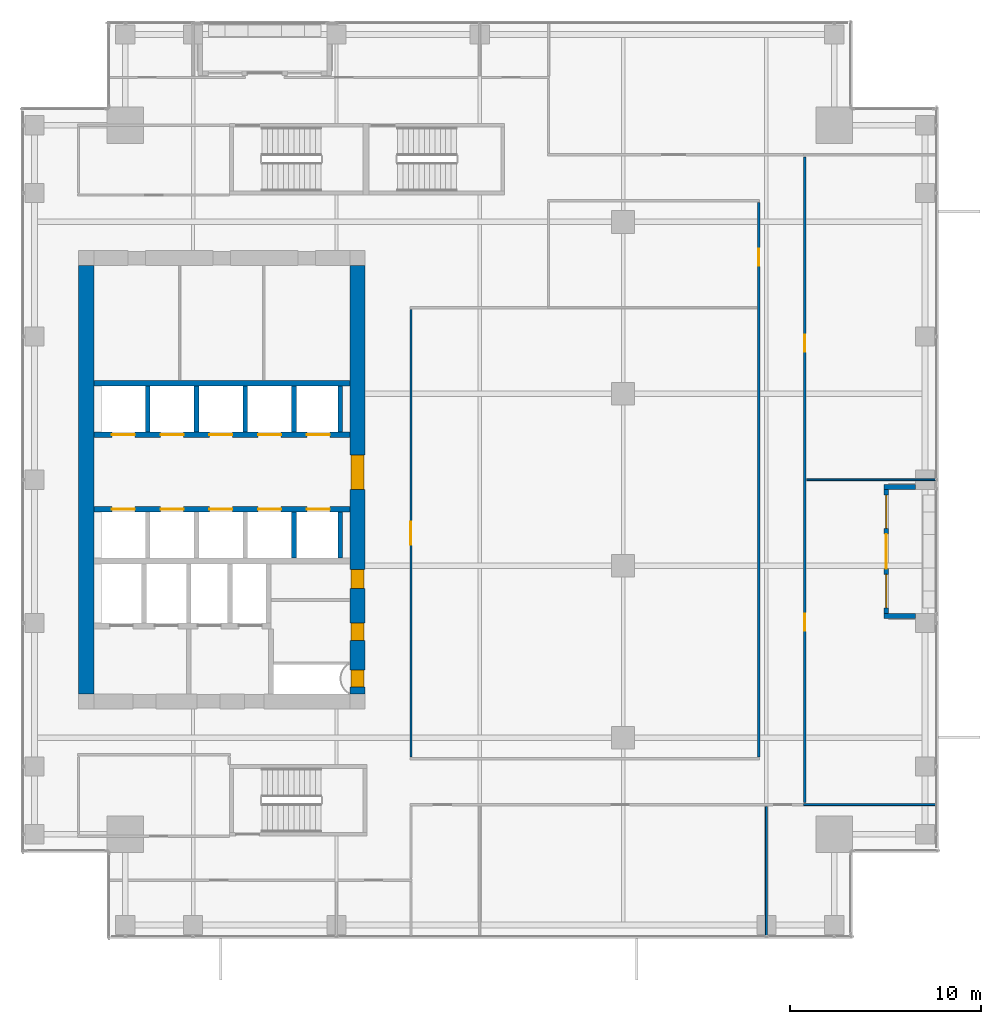
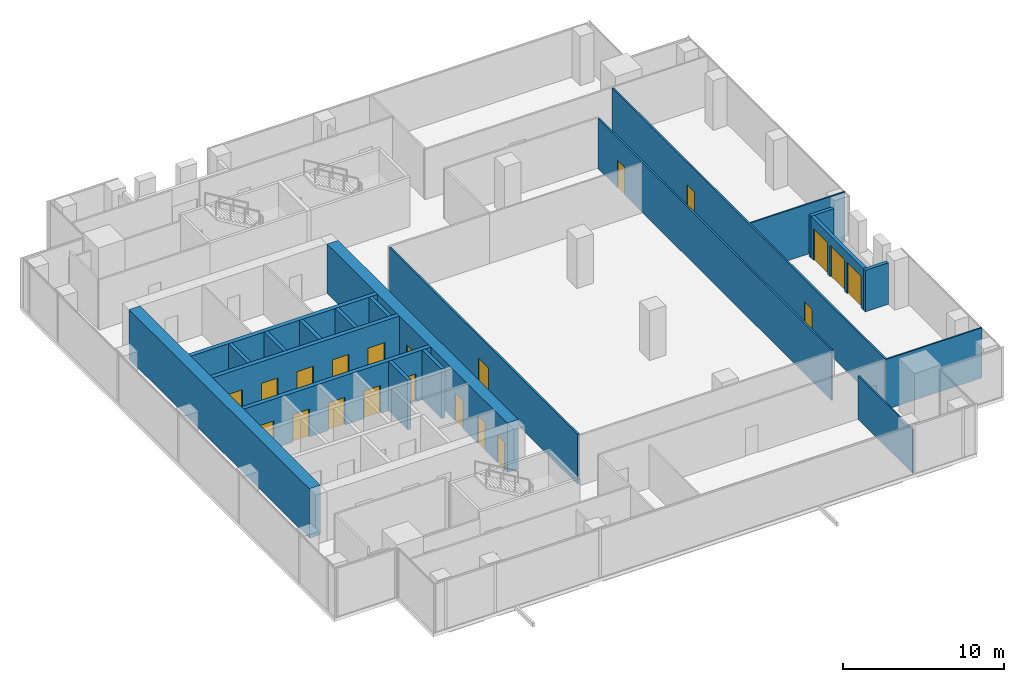
# One storey, part 35 of 40: 21 walls, 19 doors, 2 windows, 21 openings.
"""IFC4 building model written with IfcOpenShell, lengths in metres."""

from ifc_helpers import new_model, si_unit, direction, frame, frame_2d, origin, place, context, subcontext, project, spatial, rectangle, extrude, source, transform, mapped, material, layer, layer_set, type_object, element, fill, save


model = new_model("IFC4")

# Units and contexts
model_context = context("Model", 3, precision=1e-05, world=origin(), true_north=direction((0.0, 1.0)))
body_context = subcontext(model_context, "Body", "Model", "MODEL_VIEW")
ifc_project = project(units=[si_unit("LENGTHUNIT", "METRE"), si_unit("AREAUNIT", "SQUARE_METRE"), si_unit("VOLUMEUNIT", "CUBIC_METRE"), si_unit("PLANEANGLEUNIT", "RADIAN"), si_unit("MASSUNIT", "GRAM", prefix="KILO")], contexts=[model_context])

# Site, building, storey
site_placement = place(None, origin())
site = spatial("IfcSite", under=ifc_project, at=site_placement, CompositionType="ELEMENT")
building_placement = place(site_placement, origin())
building = spatial("IfcBuilding", under=site, at=building_placement, Name="Khomas Fold Tower", CompositionType="ELEMENT")
storey_placement = place(building_placement, frame((0.0, 0.0, 204.699951171875)))
storey = spatial("IfcBuildingStorey", under=building, at=storey_placement, Name="L45", CompositionType="ELEMENT", Elevation=204.699951171875)

# Wall, openings, doors
ifc_material_1 = material(Name="Concrete C60/75", Category="concrete")
ifc_layer_1 = layer(ifc_material_1, 0.800048828125)
ifc_layer_set_1 = layer_set([ifc_layer_1], Name="Concrete C60/75")
wall_type_1 = type_object("IfcWallType", Name="Core wall 800", PredefinedType="SHEAR", material=ifc_layer_set_1)
shared_shape_1 = source(origin(), body_context, "Body", "SweptSolid", [
    extrude(rectangle(XDim=22.39990234375, YDim=0.800048828125, at=frame_2d((11.199951171875, 0.0))), origin(), (0.0, 0.0, 1.0), 3.75),
])
wall_1_placement = place(storey_placement, frame((20.60009765625, 15.800048828125, 0.0), z_axis=(0.0, 0.0, 1.0), x_axis=(0.0, 1.0, 0.0)))
wall_1 = element("IfcWall", 1, at=wall_1_placement, inside=storey, type_object=wall_type_1, Name="Core wall CW-U-E-L35", PredefinedType="SHEAR", context=body_context, shape_type="MappedRepresentation", body=[
    mapped(shared_shape_1, transform((0.0, 0.0, 0.0))),
])
shared_shape_2 = source(origin(), body_context, "Body", "SweptSolid", [
    extrude(rectangle(XDim=1.800048828125, YDim=2.10009765625, at=frame_2d((0.89990234375, 1.050048828125))), frame((0.0, 0.409912109375, 0.0), z_axis=(0.0, -1.0, 0.0), x_axis=(1.0, 0.0, 0.0)), (0.0, 0.0, 1.0), 0.820068359375),
])
opening_1_placement = place(wall_1_placement, frame((10.699951171875, 0.0, 0.0)))
opening_1 = element("IfcOpeningElement", 2, at=opening_1_placement, cuts=wall_1, Name="Opening 0015", PredefinedType="OPENING", context=body_context, shape_type="MappedRepresentation", body=[
    mapped(shared_shape_2, transform((0.0, 0.0, 0.0))),
])
shared_shape_3 = source(origin(), body_context, "Body", "SweptSolid", [
    extrude(rectangle(XDim=0.89990234375, YDim=2.10009765625, at=frame_2d((0.449951171875, 1.050048828125))), frame((0.0, 0.409912109375, 0.0), z_axis=(0.0, -1.0, 0.0), x_axis=(1.0, 0.0, 0.0)), (0.0, 0.0, 1.0), 0.820068359375),
])
opening_2_placement = place(wall_1_placement, frame((0.35009765625, 0.0, 0.0)))
opening_2 = element("IfcOpeningElement", 3, at=opening_2_placement, cuts=wall_1, Name="Opening 0003", PredefinedType="OPENING", context=body_context, shape_type="MappedRepresentation", body=[
    mapped(shared_shape_3, transform((0.0, 0.0, 0.0))),
])
opening_3_placement = place(wall_1_placement, frame((2.800048828125, 0.0, 0.0)))
opening_3 = element("IfcOpeningElement", 4, at=opening_3_placement, cuts=wall_1, Name="Opening 0003", PredefinedType="OPENING", context=body_context, shape_type="MappedRepresentation", body=[
    mapped(shared_shape_3, transform((0.0, 0.0, 0.0))),
])
shared_shape_4 = source(origin(), body_context, "Body", "SweptSolid", [
    extrude(rectangle(XDim=1.0, YDim=2.10009765625, at=frame_2d((0.5, 1.050048828125))), frame((0.0, 0.409912109375, 0.0), z_axis=(0.0, -1.0, 0.0), x_axis=(1.0, 0.0, 0.0)), (0.0, 0.0, 1.0), 0.820068359375),
])
opening_4_placement = place(wall_1_placement, frame((5.5, 0.0, 0.0)))
opening_4 = element("IfcOpeningElement", 5, at=opening_4_placement, cuts=wall_1, Name="Opening 0006", PredefinedType="OPENING", context=body_context, shape_type="MappedRepresentation", body=[
    mapped(shared_shape_4, transform((0.0, 0.0, 0.0))),
])
ifc_material_2 = material(Name="Steel door leaf", Category="steel")
door_type_1 = type_object("IfcDoorType", Name="Lobby door 1800x2100", OperationType="DOUBLE_DOOR_SINGLE_SWING", PredefinedType="DOOR", material=ifc_material_2)
shared_shape_5 = source(origin(), body_context, "Body", "SweptSolid", [
    extrude(rectangle(XDim=1.800048828125, YDim=2.10009765625, at=frame_2d((0.89990234375, 1.050048828125))), frame((0.0, 0.35009765625, 0.0), z_axis=(0.0, -1.0, 0.0), x_axis=(1.0, 0.0, 0.0)), (0.0, 0.0, 1.0), 0.699951171875),
])
door_1_placement = place(opening_1_placement, origin())
door_1 = element("IfcDoor", 6, at=door_1_placement, inside=storey, type_object=door_type_1, Name="Lobby door", OperationType="DOUBLE_DOOR_SINGLE_SWING", OverallHeight=2.10009765625, OverallWidth=1.800048828125, PredefinedType="DOOR", context=body_context, shape_type="MappedRepresentation", body=[
    mapped(shared_shape_5, transform((0.0, 0.0, 0.0))),
])
fill(opening_1, door_1)
ifc_material_3 = material(Name="Steel door leaf", Category="steel")
door_type_2 = type_object("IfcDoorType", Name="Plant room door 900x2100 right-hand", OperationType="SINGLE_SWING_RIGHT", PredefinedType="DOOR", material=ifc_material_3)
shared_shape_6 = source(origin(), body_context, "Body", "SweptSolid", [
    extrude(rectangle(XDim=0.89990234375, YDim=2.10009765625, at=frame_2d((0.449951171875, 1.050048828125))), frame((0.0, 0.35009765625, 0.0), z_axis=(0.0, -1.0, 0.0), x_axis=(1.0, 0.0, 0.0)), (0.0, 0.0, 1.0), 0.699951171875),
])
door_2_placement = place(opening_2_placement, origin())
door_2 = element("IfcDoor", 7, at=door_2_placement, inside=storey, type_object=door_type_2, Name="Plant room door", OperationType="SINGLE_SWING_RIGHT", OverallHeight=2.10009765625, OverallWidth=0.89990234375, PredefinedType="DOOR", context=body_context, shape_type="MappedRepresentation", body=[
    mapped(shared_shape_6, transform((0.0, 0.0, 0.0))),
])
fill(opening_2, door_2)
door_3_placement = place(opening_3_placement, origin())
door_3 = element("IfcDoor", 8, at=door_3_placement, inside=storey, type_object=door_type_2, Name="Plant room door", OperationType="SINGLE_SWING_RIGHT", OverallHeight=2.10009765625, OverallWidth=0.89990234375, PredefinedType="DOOR", context=body_context, shape_type="MappedRepresentation", body=[
    mapped(shared_shape_6, transform((0.0, 0.0, 0.0))),
])
fill(opening_3, door_3)
ifc_material_4 = material(Name="Timber door leaf", Category="wood")
door_type_3 = type_object("IfcDoorType", Name="WC door 1000x2100 right-hand", OperationType="SINGLE_SWING_RIGHT", PredefinedType="DOOR", material=ifc_material_4)
shared_shape_7 = source(origin(), body_context, "Body", "SweptSolid", [
    extrude(rectangle(XDim=1.0, YDim=2.10009765625, at=frame_2d((0.5, 1.050048828125))), frame((0.0, 0.35009765625, 0.0), z_axis=(0.0, -1.0, 0.0), x_axis=(1.0, 0.0, 0.0)), (0.0, 0.0, 1.0), 0.699951171875),
])
door_4_placement = place(opening_4_placement, origin())
door_4 = element("IfcDoor", 9, at=door_4_placement, inside=storey, type_object=door_type_3, Name="WC door", OperationType="SINGLE_SWING_RIGHT", OverallHeight=2.10009765625, OverallWidth=1.0, PredefinedType="DOOR", context=body_context, shape_type="MappedRepresentation", body=[
    mapped(shared_shape_7, transform((0.0, 0.0, 0.0))),
])
fill(opening_4, door_4)

# Walls
wall_2_placement = place(storey_placement, frame((6.39990234375, 15.800048828125, 0.0), z_axis=(0.0, 0.0, 1.0), x_axis=(0.0, 1.0, 0.0)))
element("IfcWall", 10, at=wall_2_placement, inside=storey, type_object=wall_type_1, Name="Core wall CW-U-W-L35", PredefinedType="SHEAR", context=body_context, shape_type="MappedRepresentation", body=[
    mapped(shared_shape_1, transform((0.0, 0.0, 0.0))),
])
ifc_material_5 = material(Name="Concrete C50/60", Category="concrete")
ifc_layer_2 = layer(ifc_material_5, 0.300048828125)
ifc_layer_set_2 = layer_set([ifc_layer_2], Name="Concrete C50/60")
wall_type_2 = type_object("IfcWallType", Name="Shaft wall 300", PredefinedType="STANDARD", material=ifc_layer_set_2)
shared_shape_8 = source(origin(), body_context, "Body", "SweptSolid", [
    extrude(rectangle(XDim=13.39990234375, YDim=0.300048828125, at=frame_2d((6.699951171875, 0.0))), origin(), (0.0, 0.0, 1.0), 3.75),
])
wall_3_placement = place(storey_placement, frame((6.800048828125, 32.050048828125, 0.0), z_axis=(0.0, 0.0, 1.0), x_axis=(1.0, 0.0, 0.0)))
element("IfcWall", 11, at=wall_3_placement, inside=storey, type_object=wall_type_2, Name="Core wall SW-HRN-B", PredefinedType="STANDARD", context=body_context, shape_type="MappedRepresentation", body=[
    mapped(shared_shape_8, transform((0.0, 0.0, 0.0))),
])

# Wall, openings, doors
wall_4_placement = place(storey_placement, frame((6.800048828125, 29.35009765625, 0.0), z_axis=(0.0, 0.0, 1.0), x_axis=(1.0, 0.0, 0.0)))
wall_4 = element("IfcWall", 12, at=wall_4_placement, inside=storey, type_object=wall_type_2, Name="Core wall SW-HRN-F", PredefinedType="STANDARD", context=body_context, shape_type="MappedRepresentation", body=[
    mapped(shared_shape_8, transform((0.0, 0.0, 0.0))),
])
shared_shape_9 = source(origin(), body_context, "Body", "SweptSolid", [
    extrude(rectangle(XDim=1.199951171875, YDim=2.10009765625, at=frame_2d((0.60009765625, 1.050048828125))), frame((0.0, 0.159912109375, 0.0), z_axis=(0.0, -1.0, 0.0), x_axis=(1.0, 0.0, 0.0)), (0.0, 0.0, 1.0), 0.320068359375),
])
opening_5_placement = place(wall_4_placement, frame((0.949951171875, 0.0, 0.0)))
opening_5 = element("IfcOpeningElement", 13, at=opening_5_placement, cuts=wall_4, Name="Opening LD-HR4", PredefinedType="OPENING", context=body_context, shape_type="MappedRepresentation", body=[
    mapped(shared_shape_9, transform((0.0, 0.0, 0.0))),
])
opening_6_placement = place(wall_4_placement, frame((3.5, 0.0, 0.0)))
opening_6 = element("IfcOpeningElement", 14, at=opening_6_placement, cuts=wall_4, Name="Opening LD-HR5", PredefinedType="OPENING", context=body_context, shape_type="MappedRepresentation", body=[
    mapped(shared_shape_9, transform((0.0, 0.0, 0.0))),
])
opening_7_placement = place(wall_4_placement, frame((6.050048828125, 0.0, 0.0)))
opening_7 = element("IfcOpeningElement", 15, at=opening_7_placement, cuts=wall_4, Name="Opening LD-HR6", PredefinedType="OPENING", context=body_context, shape_type="MappedRepresentation", body=[
    mapped(shared_shape_9, transform((0.0, 0.0, 0.0))),
])
opening_8_placement = place(wall_4_placement, frame((8.60009765625, 0.0, 0.0)))
opening_8 = element("IfcOpeningElement", 16, at=opening_8_placement, cuts=wall_4, Name="Opening LD-MR3", PredefinedType="OPENING", context=body_context, shape_type="MappedRepresentation", body=[
    mapped(shared_shape_9, transform((0.0, 0.0, 0.0))),
])
opening_9_placement = place(wall_4_placement, frame((11.14990234375, 0.0, 0.0)))
opening_9 = element("IfcOpeningElement", 17, at=opening_9_placement, cuts=wall_4, Name="Opening LD-MR4", PredefinedType="OPENING", context=body_context, shape_type="MappedRepresentation", body=[
    mapped(shared_shape_9, transform((0.0, 0.0, 0.0))),
])
ifc_material_6 = material(Name="Steel door leaf", Category="steel")
door_type_4 = type_object("IfcDoorType", Name="Landing door 1200x2100", OperationType="DOUBLE_DOOR_SLIDING", PredefinedType="DOOR", material=ifc_material_6)
shared_shape_10 = source(origin(), body_context, "Body", "SweptSolid", [
    extrude(rectangle(XDim=1.199951171875, YDim=2.10009765625, at=frame_2d((0.60009765625, 1.050048828125))), frame((0.0, 0.02490234375, 0.0), z_axis=(0.0, -1.0, 0.0), x_axis=(1.0, 0.0, 0.0)), (0.0, 0.0, 1.0), 0.050048828125),
])
door_5_placement = place(opening_5_placement, origin())
door_5 = element("IfcDoor", 18, at=door_5_placement, inside=storey, type_object=door_type_4, Name="Lift landing door", OperationType="DOUBLE_DOOR_SLIDING", OverallHeight=2.10009765625, OverallWidth=1.199951171875, PredefinedType="DOOR", context=body_context, shape_type="MappedRepresentation", body=[
    mapped(shared_shape_10, transform((0.0, 0.0, 0.0))),
])
fill(opening_5, door_5)
door_6_placement = place(opening_6_placement, origin())
door_6 = element("IfcDoor", 19, at=door_6_placement, inside=storey, type_object=door_type_4, Name="Lift landing door", OperationType="DOUBLE_DOOR_SLIDING", OverallHeight=2.10009765625, OverallWidth=1.199951171875, PredefinedType="DOOR", context=body_context, shape_type="MappedRepresentation", body=[
    mapped(shared_shape_10, transform((0.0, 0.0, 0.0))),
])
fill(opening_6, door_6)
door_7_placement = place(opening_7_placement, origin())
door_7 = element("IfcDoor", 20, at=door_7_placement, inside=storey, type_object=door_type_4, Name="Lift landing door", OperationType="DOUBLE_DOOR_SLIDING", OverallHeight=2.10009765625, OverallWidth=1.199951171875, PredefinedType="DOOR", context=body_context, shape_type="MappedRepresentation", body=[
    mapped(shared_shape_10, transform((0.0, 0.0, 0.0))),
])
fill(opening_7, door_7)
door_8_placement = place(opening_8_placement, origin())
door_8 = element("IfcDoor", 21, at=door_8_placement, inside=storey, type_object=door_type_4, Name="Lift landing door", OperationType="DOUBLE_DOOR_SLIDING", OverallHeight=2.10009765625, OverallWidth=1.199951171875, PredefinedType="DOOR", context=body_context, shape_type="MappedRepresentation", body=[
    mapped(shared_shape_10, transform((0.0, 0.0, 0.0))),
])
fill(opening_8, door_8)
door_9_placement = place(opening_9_placement, origin())
door_9 = element("IfcDoor", 22, at=door_9_placement, inside=storey, type_object=door_type_4, Name="Lift landing door", OperationType="DOUBLE_DOOR_SLIDING", OverallHeight=2.10009765625, OverallWidth=1.199951171875, PredefinedType="DOOR", context=body_context, shape_type="MappedRepresentation", body=[
    mapped(shared_shape_10, transform((0.0, 0.0, 0.0))),
])
fill(opening_9, door_9)

wall_5_placement = place(storey_placement, frame((6.800048828125, 25.449951171875, 0.0), z_axis=(0.0, 0.0, 1.0), x_axis=(1.0, 0.0, 0.0)))
wall_5 = element("IfcWall", 23, at=wall_5_placement, inside=storey, type_object=wall_type_2, Name="Core wall SW-HRS-F", PredefinedType="STANDARD", context=body_context, shape_type="MappedRepresentation", body=[
    mapped(shared_shape_8, transform((0.0, 0.0, 0.0))),
])
opening_10_placement = place(wall_5_placement, frame((0.949951171875, 0.0, 0.0)))
opening_10 = element("IfcOpeningElement", 24, at=opening_10_placement, cuts=wall_5, Name="Opening LD-HR1", PredefinedType="OPENING", context=body_context, shape_type="MappedRepresentation", body=[
    mapped(shared_shape_9, transform((0.0, 0.0, 0.0))),
])
opening_11_placement = place(wall_5_placement, frame((3.5, 0.0, 0.0)))
opening_11 = element("IfcOpeningElement", 25, at=opening_11_placement, cuts=wall_5, Name="Opening LD-HR2", PredefinedType="OPENING", context=body_context, shape_type="MappedRepresentation", body=[
    mapped(shared_shape_9, transform((0.0, 0.0, 0.0))),
])
opening_12_placement = place(wall_5_placement, frame((6.050048828125, 0.0, 0.0)))
opening_12 = element("IfcOpeningElement", 26, at=opening_12_placement, cuts=wall_5, Name="Opening LD-HR3", PredefinedType="OPENING", context=body_context, shape_type="MappedRepresentation", body=[
    mapped(shared_shape_9, transform((0.0, 0.0, 0.0))),
])
opening_13_placement = place(wall_5_placement, frame((8.60009765625, 0.0, 0.0)))
opening_13 = element("IfcOpeningElement", 27, at=opening_13_placement, cuts=wall_5, Name="Opening LD-MR1", PredefinedType="OPENING", context=body_context, shape_type="MappedRepresentation", body=[
    mapped(shared_shape_9, transform((0.0, 0.0, 0.0))),
])
opening_14_placement = place(wall_5_placement, frame((11.14990234375, 0.0, 0.0)))
opening_14 = element("IfcOpeningElement", 28, at=opening_14_placement, cuts=wall_5, Name="Opening LD-MR2", PredefinedType="OPENING", context=body_context, shape_type="MappedRepresentation", body=[
    mapped(shared_shape_9, transform((0.0, 0.0, 0.0))),
])
door_10_placement = place(opening_10_placement, origin())
door_10 = element("IfcDoor", 29, at=door_10_placement, inside=storey, type_object=door_type_4, Name="Lift landing door", OperationType="DOUBLE_DOOR_SLIDING", OverallHeight=2.10009765625, OverallWidth=1.199951171875, PredefinedType="DOOR", context=body_context, shape_type="MappedRepresentation", body=[
    mapped(shared_shape_10, transform((0.0, 0.0, 0.0))),
])
fill(opening_10, door_10)
door_11_placement = place(opening_11_placement, origin())
door_11 = element("IfcDoor", 30, at=door_11_placement, inside=storey, type_object=door_type_4, Name="Lift landing door", OperationType="DOUBLE_DOOR_SLIDING", OverallHeight=2.10009765625, OverallWidth=1.199951171875, PredefinedType="DOOR", context=body_context, shape_type="MappedRepresentation", body=[
    mapped(shared_shape_10, transform((0.0, 0.0, 0.0))),
])
fill(opening_11, door_11)
door_12_placement = place(opening_12_placement, origin())
door_12 = element("IfcDoor", 31, at=door_12_placement, inside=storey, type_object=door_type_4, Name="Lift landing door", OperationType="DOUBLE_DOOR_SLIDING", OverallHeight=2.10009765625, OverallWidth=1.199951171875, PredefinedType="DOOR", context=body_context, shape_type="MappedRepresentation", body=[
    mapped(shared_shape_10, transform((0.0, 0.0, 0.0))),
])
fill(opening_12, door_12)
door_13_placement = place(opening_13_placement, origin())
door_13 = element("IfcDoor", 32, at=door_13_placement, inside=storey, type_object=door_type_4, Name="Lift landing door", OperationType="DOUBLE_DOOR_SLIDING", OverallHeight=2.10009765625, OverallWidth=1.199951171875, PredefinedType="DOOR", context=body_context, shape_type="MappedRepresentation", body=[
    mapped(shared_shape_10, transform((0.0, 0.0, 0.0))),
])
fill(opening_13, door_13)
door_14_placement = place(opening_14_placement, origin())
door_14 = element("IfcDoor", 33, at=door_14_placement, inside=storey, type_object=door_type_4, Name="Lift landing door", OperationType="DOUBLE_DOOR_SLIDING", OverallHeight=2.10009765625, OverallWidth=1.199951171875, PredefinedType="DOOR", context=body_context, shape_type="MappedRepresentation", body=[
    mapped(shared_shape_10, transform((0.0, 0.0, 0.0))),
])
fill(opening_14, door_14)

# Walls
ifc_material_7 = material(Name="Concrete C50/60", Category="concrete")
ifc_layer_3 = layer(ifc_material_7, 0.25)
ifc_layer_set_3 = layer_set([ifc_layer_3], Name="Concrete C50/60")
wall_type_3 = type_object("IfcWallType", Name="Shaft wall 250", PredefinedType="STANDARD", material=ifc_layer_set_3)
shared_shape_11 = source(origin(), body_context, "Body", "SweptSolid", [
    extrude(rectangle(XDim=2.39990234375, YDim=0.25, at=frame_2d((1.199951171875, 0.0))), origin(), (0.0, 0.0, 1.0), 3.75),
])
for number, where, z_axis, x_axis, name in (
    (34, (17.27490234375, 29.5, 0.0), (0.0, 0.0, 1.0), (0.0, 1.0, 0.0), "Core wall SW-HRN-MR-P1"),
    (35, (19.699951171875, 29.5, 0.0), (0.0, 0.0, 1.0), (0.0, 1.0, 0.0), "Core wall SW-HRN-MR-PE"),
    (36, (9.625, 29.5, 0.0), (0.0, 0.0, 1.0), (0.0, 1.0, 0.0), "Core wall SW-HRN-P1"),
    (37, (12.175048828125, 29.5, 0.0), (0.0, 0.0, 1.0), (0.0, 1.0, 0.0), "Core wall SW-HRN-P2"),
    (38, (14.72509765625, 29.5, 0.0), (0.0, 0.0, 1.0), (0.0, 1.0, 0.0), "Core wall SW-HRN-PE"),
):
    element("IfcWall", number, at=place(storey_placement, frame(where, z_axis=z_axis, x_axis=x_axis)), inside=storey, type_object=wall_type_3, Name=name, PredefinedType="STANDARD", context=body_context, shape_type="MappedRepresentation", body=[
        mapped(shared_shape_11, transform((0.0, 0.0, 0.0))),
    ])
shared_shape_12 = source(origin(), body_context, "Body", "SweptSolid", [
    extrude(rectangle(XDim=2.400146484375, YDim=0.25, at=frame_2d((1.2001953125, 0.0))), origin(), (0.0, 0.0, 1.0), 3.75),
])
for number, where, z_axis, x_axis, name in (
    (39, (17.27490234375, 22.89990234375, 0.0), (0.0, 0.0, 1.0), (0.0, 1.0, 0.0), "Core wall SW-HRS-MR-P1"),
    (40, (19.699951171875, 22.89990234375, 0.0), (0.0, 0.0, 1.0), (0.0, 1.0, 0.0), "Core wall SW-HRS-MR-PE"),
):
    element("IfcWall", number, at=place(storey_placement, frame(where, z_axis=z_axis, x_axis=x_axis)), inside=storey, type_object=wall_type_3, Name=name, PredefinedType="STANDARD", context=body_context, shape_type="MappedRepresentation", body=[
        mapped(shared_shape_12, transform((0.0, 0.0, 0.0))),
    ])

# Wall, openings, door, windows
ifc_material_8 = material(Name="Natural stone", Category="masonry")
ifc_layer_4 = layer(ifc_material_8, 0.0400390625)
ifc_material_9 = material(Name="Mineral wool insulation", Category="insulation")
ifc_layer_5 = layer(ifc_material_9, 0.10009765625)
ifc_material_10 = material(Name="Masonry", Category="masonry")
ifc_layer_6 = layer(ifc_material_10, 0.110107421875)
ifc_layer_set_4 = layer_set([ifc_layer_4, ifc_layer_5, ifc_layer_6], Name="Stone-faced insulated masonry")
wall_type_4 = type_object("IfcWallType", Name="BL-Balcony wall", PredefinedType="SOLIDWALL", material=ifc_layer_set_4)
shared_shape_13 = source(origin(), body_context, "Body", "SweptSolid", [
    extrude(rectangle(XDim=6.5, YDim=0.25, at=frame_2d((3.25, 0.0))), origin(), (0.0, 0.0, 1.0), 3.150146484375),
])
wall_6_placement = place(storey_placement, frame((48.27490234375, 20.0, 0.0), z_axis=(0.0, 0.0, 1.0), x_axis=(0.0, 1.0, 0.0)))
wall_6 = element("IfcWall", 41, at=wall_6_placement, inside=storey, type_object=wall_type_4, Name="Balcony wall BAL-L45-E2", PredefinedType="SOLIDWALL", context=body_context, shape_type="MappedRepresentation", body=[
    mapped(shared_shape_13, transform((0.0, 0.0, 0.0))),
])
shared_shape_14 = source(origin(), body_context, "Body", "SweptSolid", [
    extrude(rectangle(XDim=1.75, YDim=2.39990234375, at=frame_2d((0.875, 1.199951171875))), frame((0.0, 0.135009765625, 0.0), z_axis=(0.0, -1.0, 0.0), x_axis=(1.0, 0.0, 0.0)), (0.0, 0.0, 1.0), 0.27001953125),
])
opening_15_placement = place(wall_6_placement, frame((0.300048828125, 0.0, 0.0)))
opening_15 = element("IfcOpeningElement", 42, at=opening_15_placement, cuts=wall_6, Name="Opening BL-W3", PredefinedType="OPENING", context=body_context, shape_type="MappedRepresentation", body=[
    mapped(shared_shape_14, transform((0.0, 0.0, 0.0))),
])
opening_16_placement = place(wall_6_placement, frame((4.449951171875, 0.0, 0.0)))
opening_16 = element("IfcOpeningElement", 43, at=opening_16_placement, cuts=wall_6, Name="Opening BL-W3", PredefinedType="OPENING", context=body_context, shape_type="MappedRepresentation", body=[
    mapped(shared_shape_14, transform((0.0, 0.0, 0.0))),
])
shared_shape_15 = source(origin(), body_context, "Body", "SweptSolid", [
    extrude(rectangle(XDim=1.800048828125, YDim=2.39990234375, at=frame_2d((0.89990234375, 1.199951171875))), frame((0.0, 0.135009765625, 0.0), z_axis=(0.0, -1.0, 0.0), x_axis=(1.0, 0.0, 0.0)), (0.0, 0.0, 1.0), 0.27001953125),
])
opening_17_placement = place(wall_6_placement, frame((2.35009765625, 0.0, 0.0)))
opening_17 = element("IfcOpeningElement", 44, at=opening_17_placement, cuts=wall_6, Name="Opening BD451", PredefinedType="OPENING", context=body_context, shape_type="MappedRepresentation", body=[
    mapped(shared_shape_15, transform((0.0, 0.0, 0.0))),
])
ifc_material_11 = material(Name="Aluminium framed double glazing", Category="aluminium")
door_type_5 = type_object("IfcDoorType", Name="BL-Glazed balcony door 1800 x 2400", OperationType="DOUBLE_DOOR_DOUBLE_SWING", PredefinedType="DOOR", material=ifc_material_11)
shared_shape_16 = source(origin(), body_context, "Body", "SweptSolid", [
    extrude(rectangle(XDim=1.800048828125, YDim=2.39990234375, at=frame_2d((0.89990234375, 1.199951171875))), frame((0.0, 0.02490234375, 0.0), z_axis=(0.0, -1.0, 0.0), x_axis=(1.0, 0.0, 0.0)), (0.0, 0.0, 1.0), 0.050048828125),
])
door_15_placement = place(opening_17_placement, origin())
door_15 = element("IfcDoor", 45, at=door_15_placement, inside=storey, type_object=door_type_5, Name="Balcony door BD451", OperationType="DOUBLE_DOOR_DOUBLE_SWING", OverallHeight=2.39990234375, OverallWidth=1.800048828125, PredefinedType="DOOR", context=body_context, shape_type="MappedRepresentation", body=[
    mapped(shared_shape_16, transform((0.0, 0.0, 0.0))),
])
fill(opening_17, door_15)
ifc_material_12 = material(Name="Aluminium framed double glazing", Category="aluminium")
window_type = type_object("IfcWindowType", Name="BL-Fixed glazing 1750 x 2400", PartitioningType="SINGLE_PANEL", PredefinedType="WINDOW", material=ifc_material_12)
shared_shape_17 = source(origin(), body_context, "Body", "SweptSolid", [
    extrude(rectangle(XDim=1.75, YDim=2.39990234375, at=frame_2d((0.875, 1.199951171875))), frame((0.0, 0.030029296875, 0.0), z_axis=(0.0, -1.0, 0.0), x_axis=(1.0, 0.0, 0.0)), (0.0, 0.0, 1.0), 0.06005859375),
])
window_1_placement = place(opening_15_placement, origin())
window_1 = element("IfcWindow", 46, at=window_1_placement, inside=storey, type_object=window_type, Name="Balcony glazing BAL-L45-E2-1", OverallHeight=2.39990234375, OverallWidth=1.75, PartitioningType="SINGLE_PANEL", PredefinedType="WINDOW", context=body_context, shape_type="MappedRepresentation", body=[
    mapped(shared_shape_17, transform((0.0, 0.0, 0.0))),
])
fill(opening_15, window_1)
window_2_placement = place(opening_16_placement, origin())
window_2 = element("IfcWindow", 47, at=window_2_placement, inside=storey, type_object=window_type, Name="Balcony glazing BAL-L45-E2-2", OverallHeight=2.39990234375, OverallWidth=1.75, PartitioningType="SINGLE_PANEL", PredefinedType="WINDOW", context=body_context, shape_type="MappedRepresentation", body=[
    mapped(shared_shape_17, transform((0.0, 0.0, 0.0))),
])
fill(opening_16, window_2)

# Walls
shared_shape_18 = source(origin(), body_context, "Body", "SweptSolid", [
    extrude(rectangle(XDim=1.650146484375, YDim=0.25, at=frame_2d((0.8251953125, 0.0))), origin(), (0.0, 0.0, 1.0), 3.150146484375),
])
for number, where, z_axis, x_axis, name in (
    (48, (49.800048828125, 19.875, 0.0), (0.0, 0.0, 1.0), (-1.0, 0.0, 0.0), "Balcony return wall BAL-L45-E2-lo"),
    (49, (49.800048828125, 26.625, 0.0), (0.0, 0.0, 1.0), (-1.0, 0.0, 0.0), "Balcony return wall BAL-L45-E2-hi"),
):
    element("IfcWall", number, at=place(storey_placement, frame(where, z_axis=z_axis, x_axis=x_axis)), inside=storey, type_object=wall_type_4, Name=name, PredefinedType="SOLIDWALL", context=body_context, shape_type="MappedRepresentation", body=[
        mapped(shared_shape_18, transform((0.0, 0.0, 0.0))),
    ])
ifc_material_13 = material(Name="Plasterboard partition")
ifc_layer_7 = layer(ifc_material_13, 0.10009765625)
ifc_layer_set_5 = layer_set([ifc_layer_7], Name="Plasterboard partition")
wall_type_5 = type_object("IfcWallType", Name="Partition PW1 100", PredefinedType="PARTITIONING", material=ifc_layer_set_5)
shared_shape_19 = source(origin(), body_context, "Body", "SweptSolid", [
    extrude(rectangle(XDim=6.75, YDim=0.10009765625, at=frame_2d((3.375, 0.0))), origin(), (0.0, 0.0, 1.0), 3.800048828125),
])
wall_7_placement = place(storey_placement, frame((44.10009765625, 27.0, 0.0), z_axis=(0.0, 0.0, 1.0), x_axis=(1.0, 0.0, 0.0)))
element("IfcWall", 50, at=wall_7_placement, inside=storey, type_object=wall_type_5, Name="Partition", PredefinedType="PARTITIONING", context=body_context, shape_type="MappedRepresentation", body=[
    mapped(shared_shape_19, transform((0.0, 0.0, 0.0))),
])
shared_shape_20 = source(origin(), body_context, "Body", "SweptSolid", [
    extrude(rectangle(XDim=6.75, YDim=0.10009765625, at=frame_2d((3.375, 0.0))), origin(), (0.0, 0.0, 1.0), 3.300048828125),
])
wall_8_placement = place(storey_placement, frame((42.0, 3.14990234375, 0.0), z_axis=(0.0, 0.0, 1.0), x_axis=(0.0, 1.0, 0.0)))
element("IfcWall", 51, at=wall_8_placement, inside=storey, type_object=wall_type_5, Name="Partition", PredefinedType="PARTITIONING", context=body_context, shape_type="MappedRepresentation", body=[
    mapped(shared_shape_20, transform((0.0, 0.0, 0.0))),
])
shared_shape_21 = source(origin(), body_context, "Body", "SweptSolid", [
    extrude(rectangle(XDim=6.900146484375, YDim=0.10009765625, at=frame_2d((3.4501953125, 0.0))), origin(), (0.0, 0.0, 1.0), 3.800048828125),
])
wall_9_placement = place(storey_placement, frame((43.949951171875, 10.0, 0.0), z_axis=(0.0, 0.0, 1.0), x_axis=(1.0, 0.0, 0.0)))
element("IfcWall", 52, at=wall_9_placement, inside=storey, type_object=wall_type_5, Name="Partition", PredefinedType="PARTITIONING", context=body_context, shape_type="MappedRepresentation", body=[
    mapped(shared_shape_21, transform((0.0, 0.0, 0.0))),
])

# Wall, openings, doors
ifc_material_14 = material(Name="Plasterboard partition")
ifc_layer_8 = layer(ifc_material_14, 0.125)
ifc_layer_set_6 = layer_set([ifc_layer_8], Name="Plasterboard partition")
wall_type_6 = type_object("IfcWallType", Name="Partition PW2 125", PredefinedType="PARTITIONING", material=ifc_layer_set_6)
shared_shape_22 = source(origin(), body_context, "Body", "SweptSolid", [
    extrude(rectangle(XDim=33.7998046875, YDim=0.125, at=frame_2d((16.89990234375, 0.0))), origin(), (0.0, 0.0, 1.0), 3.800048828125),
])
wall_10_placement = place(storey_placement, frame((44.0, 10.10009765625, 0.0), z_axis=(0.0, 0.0, 1.0), x_axis=(0.0, 1.0, 0.0)))
wall_10 = element("IfcWall", 53, at=wall_10_placement, inside=storey, type_object=wall_type_6, Name="Partition", PredefinedType="PARTITIONING", context=body_context, shape_type="MappedRepresentation", body=[
    mapped(shared_shape_22, transform((0.0, 0.0, 0.0))),
])
shared_shape_23 = source(origin(), body_context, "Body", "SweptSolid", [
    extrude(rectangle(XDim=0.89990234375, YDim=2.10009765625, at=frame_2d((0.449951171875, 1.050048828125))), frame((0.0, 0.072509765625, 0.0), z_axis=(0.0, -1.0, 0.0), x_axis=(1.0, 0.0, 0.0)), (0.0, 0.0, 1.0), 0.14501953125),
])
opening_18_placement = place(wall_10_placement, frame((9.0, 0.0, 0.0)))
opening_18 = element("IfcOpeningElement", 54, at=opening_18_placement, cuts=wall_10, Name="Opening 0007", PredefinedType="OPENING", context=body_context, shape_type="MappedRepresentation", body=[
    mapped(shared_shape_23, transform((0.0, 0.0, 0.0))),
])
opening_19_placement = place(wall_10_placement, frame((23.60009765625, 0.0, 0.0)))
opening_19 = element("IfcOpeningElement", 55, at=opening_19_placement, cuts=wall_10, Name="Opening 0007", PredefinedType="OPENING", context=body_context, shape_type="MappedRepresentation", body=[
    mapped(shared_shape_23, transform((0.0, 0.0, 0.0))),
])
ifc_material_15 = material(Name="Timber door leaf", Category="wood")
door_type_6 = type_object("IfcDoorType", Name="Door 900x2100 left-hand", OperationType="SINGLE_SWING_LEFT", PredefinedType="DOOR", material=ifc_material_15)
shared_shape_24 = source(origin(), body_context, "Body", "SweptSolid", [
    extrude(rectangle(XDim=0.89990234375, YDim=2.10009765625, at=frame_2d((0.449951171875, 1.050048828125))), frame((0.0, 0.02490234375, 0.0), z_axis=(0.0, -1.0, 0.0), x_axis=(1.0, 0.0, 0.0)), (0.0, 0.0, 1.0), 0.050048828125),
])
door_16_placement = place(opening_18_placement, origin())
door_16 = element("IfcDoor", 56, at=door_16_placement, inside=storey, type_object=door_type_6, Name="Door", OperationType="SINGLE_SWING_LEFT", OverallHeight=2.10009765625, OverallWidth=0.89990234375, PredefinedType="DOOR", context=body_context, shape_type="MappedRepresentation", body=[
    mapped(shared_shape_24, transform((0.0, 0.0, 0.0))),
])
fill(opening_18, door_16)
door_17_placement = place(opening_19_placement, origin())
door_17 = element("IfcDoor", 57, at=door_17_placement, inside=storey, type_object=door_type_6, Name="Door", OperationType="SINGLE_SWING_LEFT", OverallHeight=2.10009765625, OverallWidth=0.89990234375, PredefinedType="DOOR", context=body_context, shape_type="MappedRepresentation", body=[
    mapped(shared_shape_24, transform((0.0, 0.0, 0.0))),
])
fill(opening_19, door_17)

# Wall, opening, door
shared_shape_25 = source(origin(), body_context, "Body", "SweptSolid", [
    extrude(rectangle(XDim=23.39990234375, YDim=0.125, at=frame_2d((11.699951171875, 0.0))), origin(), (0.0, 0.0, 1.0), 3.800048828125),
])
wall_11_placement = place(storey_placement, frame((23.39990234375, 12.5, 0.0), z_axis=(0.0, 0.0, 1.0), x_axis=(0.0, 1.0, 0.0)))
wall_11 = element("IfcWall", 58, at=wall_11_placement, inside=storey, type_object=wall_type_6, Name="Partition", PredefinedType="PARTITIONING", context=body_context, shape_type="MappedRepresentation", body=[
    mapped(shared_shape_25, transform((0.0, 0.0, 0.0))),
])
shared_shape_26 = source(origin(), body_context, "Body", "SweptSolid", [
    extrude(rectangle(XDim=1.199951171875, YDim=2.10009765625, at=frame_2d((0.60009765625, 1.050048828125))), frame((0.0, 0.072509765625, 0.0), z_axis=(0.0, -1.0, 0.0), x_axis=(1.0, 0.0, 0.0)), (0.0, 0.0, 1.0), 0.14501953125),
])
opening_20_placement = place(wall_11_placement, frame((11.10009765625, 0.0, 0.0)))
opening_20 = element("IfcOpeningElement", 59, at=opening_20_placement, cuts=wall_11, Name="Opening 0001", PredefinedType="OPENING", context=body_context, shape_type="MappedRepresentation", body=[
    mapped(shared_shape_26, transform((0.0, 0.0, 0.0))),
])
ifc_material_16 = material(Name="Timber door leaf", Category="wood")
door_type_7 = type_object("IfcDoorType", Name="Door 1200x2100 right-hand", OperationType="SINGLE_SWING_RIGHT", PredefinedType="DOOR", material=ifc_material_16)
door_18_placement = place(opening_20_placement, origin())
door_18 = element("IfcDoor", 60, at=door_18_placement, inside=storey, type_object=door_type_7, Name="Door", OperationType="SINGLE_SWING_RIGHT", OverallHeight=2.10009765625, OverallWidth=1.199951171875, PredefinedType="DOOR", context=body_context, shape_type="MappedRepresentation", body=[
    mapped(shared_shape_10, transform((0.0, 0.0, 0.0))),
])
fill(opening_20, door_18)

shared_shape_27 = source(origin(), body_context, "Body", "SweptSolid", [
    extrude(rectangle(XDim=29.0, YDim=0.125, at=frame_2d((14.5, 0.0))), origin(), (0.0, 0.0, 1.0), 3.800048828125),
])
wall_12_placement = place(storey_placement, frame((41.60009765625, 12.5, 0.0), z_axis=(0.0, 0.0, 1.0), x_axis=(0.0, 1.0, 0.0)))
wall_12 = element("IfcWall", 61, at=wall_12_placement, inside=storey, type_object=wall_type_6, Name="Partition", PredefinedType="PARTITIONING", context=body_context, shape_type="MappedRepresentation", body=[
    mapped(shared_shape_27, transform((0.0, 0.0, 0.0))),
])
opening_21_placement = place(wall_12_placement, frame((25.699951171875, 0.0, 0.0)))
opening_21 = element("IfcOpeningElement", 62, at=opening_21_placement, cuts=wall_12, Name="Opening 0008", PredefinedType="OPENING", context=body_context, shape_type="MappedRepresentation", body=[
    mapped(shared_shape_23, transform((0.0, 0.0, 0.0))),
])
ifc_material_17 = material(Name="Timber door leaf", Category="wood")
door_type_8 = type_object("IfcDoorType", Name="Door 900x2100 right-hand", OperationType="SINGLE_SWING_RIGHT", PredefinedType="DOOR", material=ifc_material_17)
door_19_placement = place(opening_21_placement, origin())
door_19 = element("IfcDoor", 63, at=door_19_placement, inside=storey, type_object=door_type_8, Name="Door", OperationType="SINGLE_SWING_RIGHT", OverallHeight=2.10009765625, OverallWidth=0.89990234375, PredefinedType="DOOR", context=body_context, shape_type="MappedRepresentation", body=[
    mapped(shared_shape_24, transform((0.0, 0.0, 0.0))),
])
fill(opening_21, door_19)

save(model, "model.ifc")
